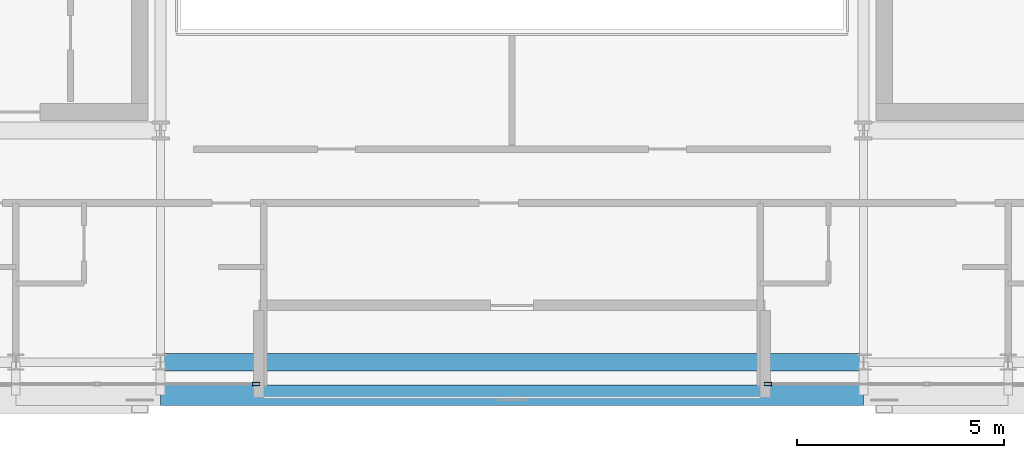
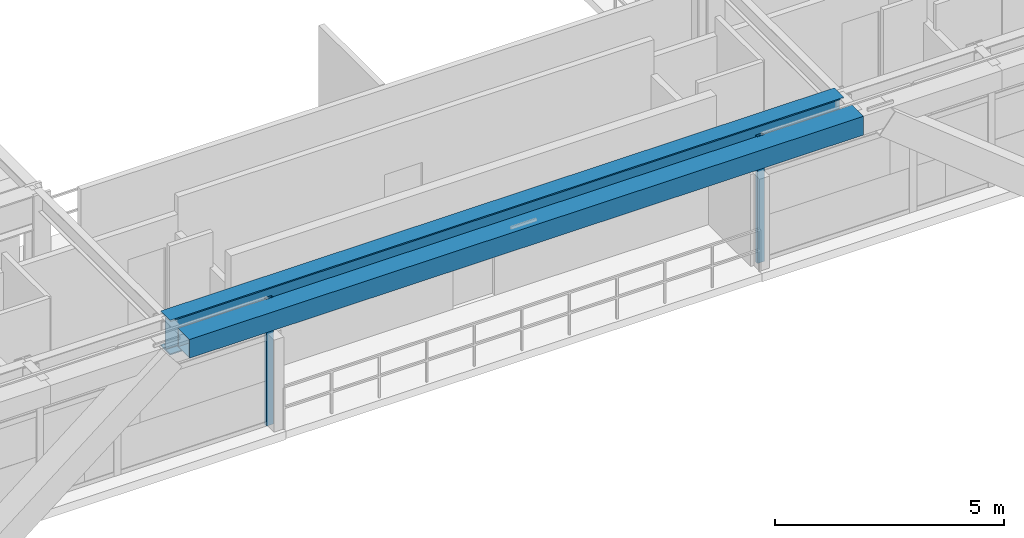
# One storey, part 5 of 28: 2 beams, 2 members, 2 elements without a shape of their own.
"""IFC4 building model written with IfcOpenShell, lengths in metres."""

from ifc_helpers import new_model, si_unit, direction, frame, origin, origin_2d, place, context, subcontext, project, spatial, hollow_rectangle, i_section, extrude, source, transform, mapped, material, layer, layer_set, material_profile, profile_set, type_object, element, aggregate, save


model = new_model("IFC4")

# Units and contexts
model_context = context("Model", 3, precision=1e-05, world=origin(), true_north=direction((0.0, 1.0)))
body_context = subcontext(model_context, "Body", "Model", "MODEL_VIEW")
ifc_project = project(units=[si_unit("LENGTHUNIT", "METRE"), si_unit("AREAUNIT", "SQUARE_METRE"), si_unit("VOLUMEUNIT", "CUBIC_METRE"), si_unit("PLANEANGLEUNIT", "RADIAN"), si_unit("MASSUNIT", "GRAM", prefix="KILO")], contexts=[model_context])

# Site, building, storey
site_placement = place(None, origin())
site = spatial("IfcSite", under=ifc_project, at=site_placement, CompositionType="ELEMENT")
building_placement = place(site_placement, origin())
building = spatial("IfcBuilding", under=site, at=building_placement, Name="Ocotamira Hotel", CompositionType="ELEMENT")
storey_placement = place(building_placement, frame((0.0, 0.0, 240.0)))
storey = spatial("IfcBuildingStorey", under=building, at=storey_placement, Name="L60", CompositionType="ELEMENT", Elevation=240.0)

# Beams
ifc_material_1 = material(Name="Steel ASTM A992 Grade 50", Category="steel")
ifc_material_profile_1 = material_profile(ifc_material_1, i_section(OverallWidth=0.41796875, OverallDepth=0.927001953125, WebThickness=0.019287109375, FlangeThickness=0.031982421875, FilletRadius=0.02392578125, at=origin_2d()), Name="W36X231")
ifc_profile_set_1 = profile_set([ifc_material_profile_1], Name="Steel ASTM A992 Grade 50")
beam_type_1 = type_object("IfcBeamType", Name="BM-GIRD-W36X231", PredefinedType="BEAM", material=ifc_profile_set_1)
shared_shape_1 = source(origin(), body_context, "Body", "SweptSolid", [
    extrude(i_section(OverallWidth=0.41796875, OverallDepth=0.927001953125, WebThickness=0.019287109375, FlangeThickness=0.031982421875, FilletRadius=0.02392578125, at=origin_2d()), origin(), (0.0, 0.0, 1.0), 17.0),
])
beam_1_placement = place(storey_placement, frame((23.5, 8.949951171875, 2.91650390625), z_axis=(1.0, 0.0, 0.0), x_axis=(0.0, 1.0, 0.0)))
element("IfcBeam", 1, at=beam_1_placement, inside=storey, type_object=beam_type_1, Name="L60 Girder Y8.95 X23.5-40.5", PredefinedType="BEAM", context=body_context, shape_type="MappedRepresentation", body=[
    mapped(shared_shape_1, transform((0.0, 0.0, 0.0), scale=1.0)),
])
ifc_material_2 = material(Name="Steel ASTM A500 Grade C", Category="steel")
ifc_material_profile_2 = material_profile(ifc_material_2, hollow_rectangle(XDim=0.5, YDim=0.5, WallThickness=0.02001953125, at=origin_2d()), Name="HSS500X500X20")
ifc_profile_set_2 = profile_set([ifc_material_profile_2], Name="Steel ASTM A500 Grade C")
beam_type_2 = type_object("IfcBeamType", Name="BM-SPAN-HSS500", PredefinedType="USERDEFINED", material=ifc_profile_set_2)
shared_shape_2 = source(origin(), body_context, "Body", "SweptSolid", [
    extrude(hollow_rectangle(XDim=0.5, YDim=0.5, WallThickness=0.02001953125, at=origin_2d()), origin(), (0.0, 0.0, 1.0), 17.0),
])
beam_2_placement = place(storey_placement, frame((23.5, 8.14990234375, 3.1298828125), z_axis=(1.0, 0.0, 0.0), x_axis=(0.0, 1.0, 0.0)))
element("IfcBeam", 2, at=beam_2_placement, inside=storey, type_object=beam_type_2, Name="L60 Edge Spandrel S X23.5-40.5", ObjectType="SPANDREL", PredefinedType="USERDEFINED", context=body_context, shape_type="MappedRepresentation", body=[
    mapped(shared_shape_2, transform((0.0, 0.0, 0.0), scale=1.0)),
])

# Curtain wall, member
ifc_material_3 = material(Name="Anodised pale-metal aluminium and solar glass", Category="aluminium")
ifc_layer = layer(ifc_material_3, 0.239990234375)
ifc_layer_set = layer_set([ifc_layer], Name="Anodised pale-metal aluminium and solar glass")
curtain_wall_type = type_object("IfcCurtainWallType", Name="CW-SYS5-SKY", PredefinedType="NOTDEFINED", material=ifc_layer_set)
curtain_wall_1_placement = place(storey_placement, origin())
curtain_wall_1 = element("IfcCurtainWall", 3, at=curtain_wall_1_placement, inside=storey, type_object=curtain_wall_type, Name="L60 Curtain Wall CW-5 CW-L60-S1", PredefinedType="NOTDEFINED")
ifc_material_4 = material(Name="Anodised pale-metal aluminium 6063-T6", Category="aluminium")
ifc_material_profile_3 = material_profile(ifc_material_4, hollow_rectangle(XDim=0.080078125, YDim=0.179931640625, WallThickness=0.006103515625, at=origin_2d()), Name="HSS180X80X6")
ifc_profile_set_3 = profile_set([ifc_material_profile_3], Name="Anodised pale-metal aluminium 6063-T6")
member_type = type_object("IfcMemberType", Name="CWM-180X75", PredefinedType="MULLION", material=ifc_profile_set_3)
shared_shape_3 = source(origin(), body_context, "Body", "SweptSolid", [
    extrude(hollow_rectangle(XDim=0.080078125, YDim=0.179931640625, WallThickness=0.006103515625, at=origin_2d()), origin(), (0.0, 0.0, 1.0), 3.3798828125),
])
member_1_placement = place(storey_placement, frame((25.81005859375, 8.419921875, 0.0), z_axis=(0.0, 0.0, 1.0), x_axis=(0.0, 1.0, 0.0)))
member_1 = element("IfcMember", 4, at=member_1_placement, type_object=member_type, Name="CW-5 mullion 4", PredefinedType="MULLION", context=body_context, shape_type="MappedRepresentation", body=[
    mapped(shared_shape_3, transform((0.0, 0.0, 0.0), scale=1.0)),
])
aggregate(curtain_wall_1, [member_1])

curtain_wall_2_placement = place(storey_placement, origin())
curtain_wall_2 = element("IfcCurtainWall", 5, at=curtain_wall_2_placement, inside=storey, type_object=curtain_wall_type, Name="L60 Curtain Wall CW-5 CW-L60-S2", PredefinedType="NOTDEFINED")
member_2_placement = place(storey_placement, frame((38.18994140625, 8.419921875, 0.0), z_axis=(0.0, 0.0, 1.0), x_axis=(0.0, 1.0, 0.0)))
member_2 = element("IfcMember", 6, at=member_2_placement, type_object=member_type, Name="CW-5 mullion 1", PredefinedType="MULLION", context=body_context, shape_type="MappedRepresentation", body=[
    mapped(shared_shape_3, transform((0.0, 0.0, 0.0), scale=1.0)),
])
aggregate(curtain_wall_2, [member_2])

save(model, "model.ifc")
